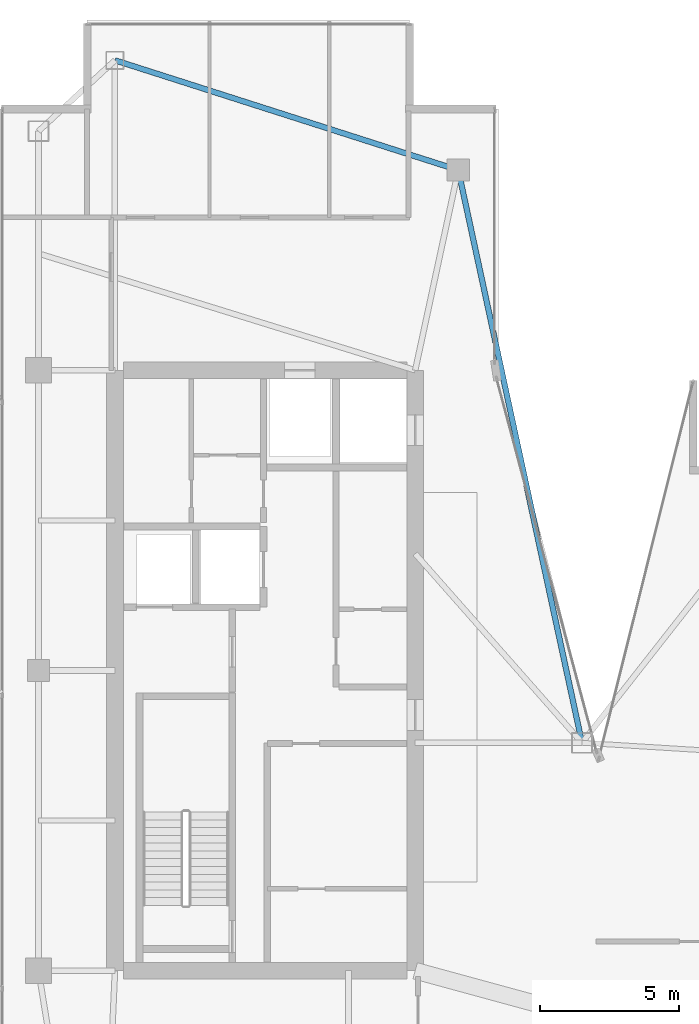
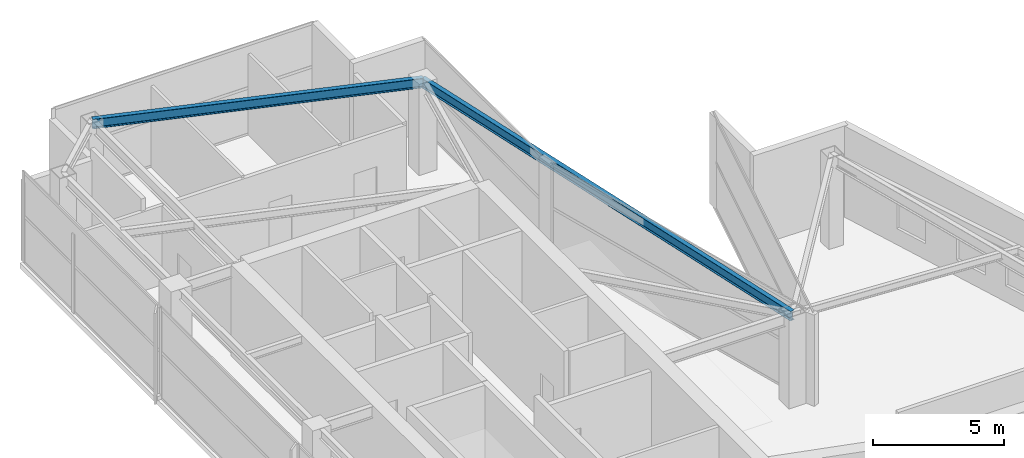
# One storey, part 17 of 25: 2 beams.
"""IFC4 building model written with IfcOpenShell, lengths in metres."""

from ifc_helpers import new_model, si_unit, direction, frame, origin, origin_2d, place, context, subcontext, project, spatial, i_section, extrude, material, material_profile, profile_set, type_object, element, save


model = new_model("IFC4")

# Units and contexts
model_context = context("Model", 3, precision=1e-05, world=origin(), true_north=direction((0.0, 1.0)))
body_context = subcontext(model_context, "Body", "Model", "MODEL_VIEW")
ifc_project = project(units=[si_unit("LENGTHUNIT", "METRE"), si_unit("AREAUNIT", "SQUARE_METRE"), si_unit("VOLUMEUNIT", "CUBIC_METRE"), si_unit("PLANEANGLEUNIT", "RADIAN"), si_unit("MASSUNIT", "GRAM", prefix="KILO")], contexts=[model_context])

# Site, building, storey
site_placement = place(None, origin())
site = spatial("IfcSite", under=ifc_project, at=site_placement, CompositionType="ELEMENT")
building_placement = place(site_placement, origin())
building = spatial("IfcBuilding", under=site, at=building_placement, Name="Calvorn Quay Hotel", CompositionType="ELEMENT")
storey_placement = place(building_placement, frame((0.0, 0.0, 311.5)))
storey = spatial("IfcBuildingStorey", under=building, at=storey_placement, Name="L77", CompositionType="ELEMENT", Elevation=311.5)

# Beams
ifc_material = material(Name="Steel Q355B", Category="steel")
ifc_material_profile = material_profile(ifc_material, i_section(OverallWidth=0.199951171875, OverallDepth=0.449951171875, WebThickness=0.009033203125, FlangeThickness=0.013916015625, FilletRadius=0.01611328125, at=origin_2d()), Name="HN450x200x9x14")
ifc_profile_set = profile_set([ifc_material_profile], Name="Steel Q355B")
beam_type = type_object("IfcBeamType", Name="BM-SPANDREL-Z3", PredefinedType="SPANDREL", material=ifc_profile_set)
beam_1_placement = place(storey_placement, frame((4.199951171875, 49.550048828125, 4.014892578125), z_axis=(0.952470702374, -0.304630203885, 0.0), x_axis=(0.304630203885, 0.952470702374, 0.0)))
element("IfcBeam", 1, at=beam_1_placement, inside=storey, type_object=beam_type, Name="Beam BSP-L77-W6", PredefinedType="SPANDREL", context=body_context, shape_type="SweptSolid", body=[
    extrude(i_section(OverallWidth=0.199951171875, OverallDepth=0.449951171875, WebThickness=0.009033203125, FlangeThickness=0.013916015625, FilletRadius=0.01611328125, at=origin_2d()), origin(), (0.0, 0.0, 1.0), 12.96630859375),
])
beam_2_placement = place(storey_placement, frame((16.550048828125, 45.60009765625, 4.014892578125), z_axis=(0.211145848376, -0.977454567084, 0.0), x_axis=(0.977454567084, 0.211145848376, 0.0)))
element("IfcBeam", 2, at=beam_2_placement, inside=storey, type_object=beam_type, Name="Beam BSP-L77-W7", PredefinedType="SPANDREL", context=body_context, shape_type="SweptSolid", body=[
    extrude(i_section(OverallWidth=0.199951171875, OverallDepth=0.449951171875, WebThickness=0.009033203125, FlangeThickness=0.013916015625, FilletRadius=0.01611328125, at=origin_2d()), origin(), (0.0, 0.0, 1.0), 21.0751953125),
])

save(model, "model.ifc")
